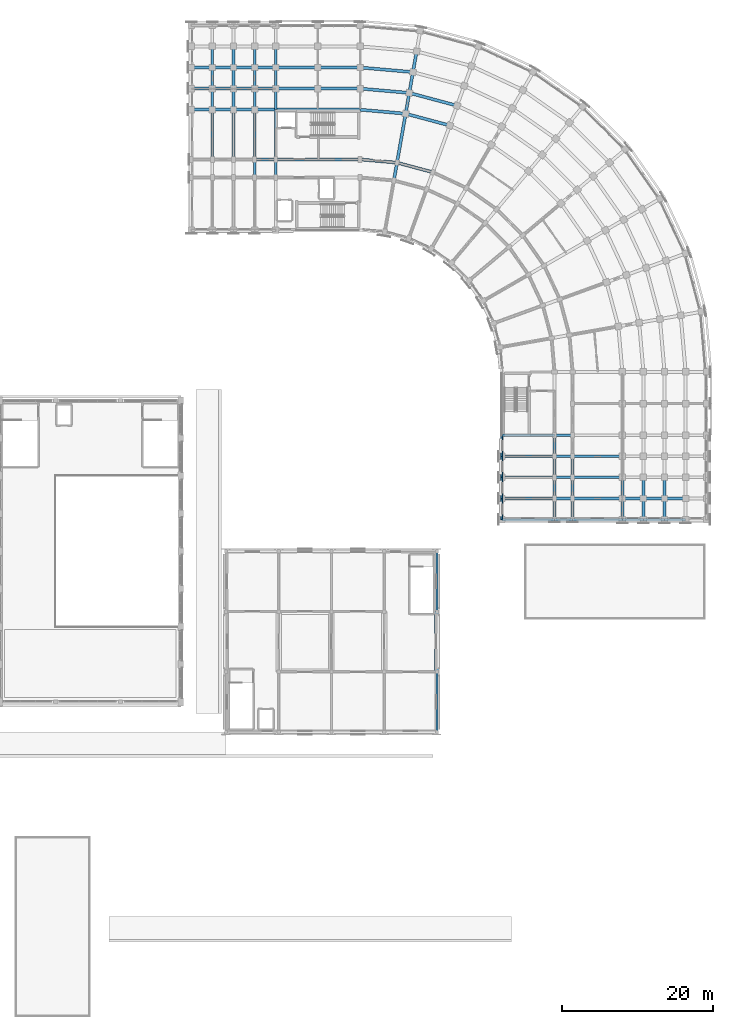
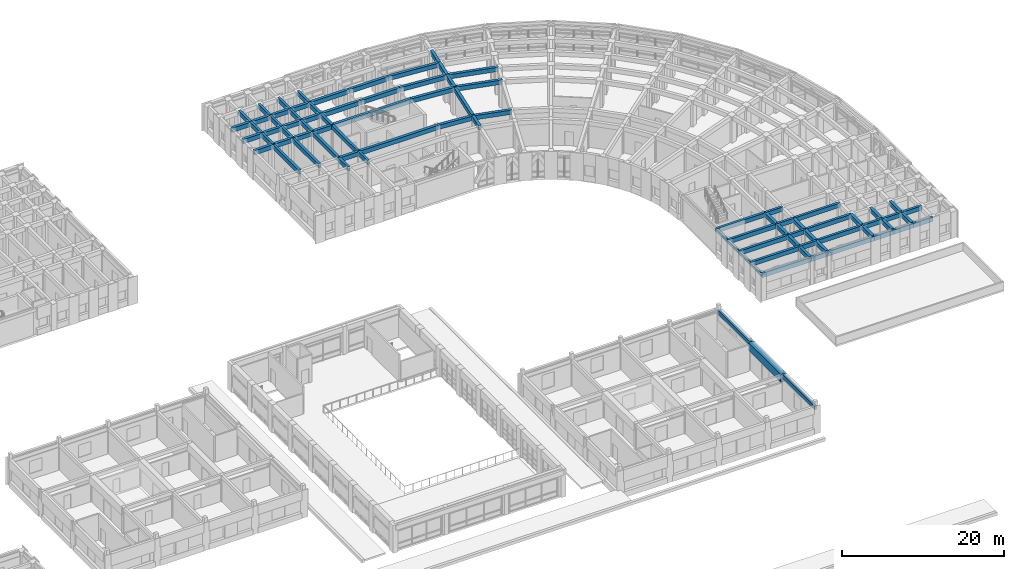
# One storey, part 30 of 97: 89 beams.
"""IFC4 building model written with IfcOpenShell, lengths in metres."""

from ifc_helpers import new_model, si_unit, direction, frame, origin, origin_2d, place, context, subcontext, project, spatial, rectangle, extrude, material, material_profile, profile_set, type_object, element, save


model = new_model("IFC4")

# Units and contexts
model_context = context("Model", 3, precision=1e-05, world=origin(), true_north=direction((0.0, 1.0)))
body_context = subcontext(model_context, "Body", "Model", "MODEL_VIEW")
ifc_project = project(units=[si_unit("LENGTHUNIT", "METRE"), si_unit("AREAUNIT", "SQUARE_METRE"), si_unit("VOLUMEUNIT", "CUBIC_METRE"), si_unit("PLANEANGLEUNIT", "RADIAN"), si_unit("MASSUNIT", "GRAM", prefix="KILO")], contexts=[model_context])

# Site, building, storey
site_placement = place(None, origin())
site = spatial("IfcSite", under=ifc_project, at=site_placement, CompositionType="ELEMENT")
building_placement = place(site_placement, origin())
building = spatial("IfcBuilding", under=site, at=building_placement, Name="Kiranvali Square Residences", CompositionType="ELEMENT")
storey_placement = place(building_placement, frame((0.0, 0.0, 4.5)))
storey = spatial("IfcBuildingStorey", under=building, at=storey_placement, Name="L01", CompositionType="ELEMENT", Elevation=4.5)

# Beams
ifc_material_1 = material(Name="Concrete M40 (40 MPa)", Category="concrete")
ifc_material_profile_1 = material_profile(ifc_material_1, rectangle(XDim=0.300048828125, YDim=0.550048828125, at=origin_2d()), Name="RC 300x550")
ifc_profile_set_1 = profile_set([ifc_material_profile_1], Name="Concrete M40 (40 MPa)")
beam_type_1 = type_object("IfcBeamType", Name="BM-M40-300x550", PredefinedType="BEAM", material=ifc_profile_set_1)
for number, where, z_axis, x_axis, name in (
    (1, (130.0, 40.0, 3.72509765625), (0.0, 1.0, 0.0), (-1.0, 0.0, 0.0), "L01 beam BM-RT-L01-Y4-0"),
    (2, (130.0, 56.0, 3.72509765625), (0.0, 1.0, 0.0), (-1.0, 0.0, 0.0), "L01 beam BM-RT-L01-Y4-2"),
):
    element("IfcBeam", number, at=place(storey_placement, frame(where, z_axis=z_axis, x_axis=x_axis)), inside=storey, type_object=beam_type_1, Name=name, PredefinedType="BEAM", context=body_context, shape_type="SweptSolid", body=[
        extrude(rectangle(XDim=0.300048828125, YDim=0.550048828125, at=origin_2d()), origin(), (0.0, 0.0, 1.0), 8.0),
    ])
ifc_material_profile_2 = material_profile(ifc_material_1, rectangle(XDim=0.35009765625, YDim=0.64990234375, at=origin_2d()), Name="RC 350x650")
ifc_profile_set_2 = profile_set([ifc_material_profile_2], Name="Concrete M40 (40 MPa)")
beam_type_2 = type_object("IfcBeamType", Name="BM-M40-350x650", PredefinedType="BEAM", material=ifc_profile_set_2)
beam_1_placement = place(storey_placement, frame((108.60009765625, 113.60009765625, 3.655029296875), z_axis=(0.0, 1.0, 0.0), x_axis=(-1.0, 0.0, 0.0)))
element("IfcBeam", 3, at=beam_1_placement, inside=storey, type_object=beam_type_2, Name="L01 beam BM-B-L01-A1T1-12", PredefinedType="BEAM", context=body_context, shape_type="SweptSolid", body=[
    extrude(rectangle(XDim=0.35009765625, YDim=0.64990234375, at=origin_2d()), origin(), (0.0, 0.0, 1.0), 2.39990234375),
])
beam_2_placement = place(storey_placement, frame((108.60009765625, 116.0, 3.655029296875), z_axis=(0.0, 1.0, 0.0), x_axis=(-1.0, 0.0, 0.0)))
element("IfcBeam", 4, at=beam_2_placement, inside=storey, type_object=beam_type_2, Name="L01 beam BM-B-L01-A1T1-23", PredefinedType="BEAM", context=body_context, shape_type="SweptSolid", body=[
    extrude(rectangle(XDim=0.35009765625, YDim=0.64990234375, at=origin_2d()), origin(), (0.0, 0.0, 1.0), 6.60009765625),
])
beam_3_placement = place(storey_placement, frame((108.60009765625, 122.60009765625, 3.655029296875), z_axis=(0.0, 1.0, 0.0), x_axis=(-1.0, 0.0, 0.0)))
element("IfcBeam", 5, at=beam_3_placement, inside=storey, type_object=beam_type_2, Name="L01 beam BM-B-L01-A1T1-34", PredefinedType="BEAM", context=body_context, shape_type="SweptSolid", body=[
    extrude(rectangle(XDim=0.35009765625, YDim=0.64990234375, at=origin_2d()), origin(), (0.0, 0.0, 1.0), 2.7998046875),
])
for number, where, z_axis, x_axis, name in (
    (6, (108.60009765625, 125.39990234375, 3.655029296875), (0.0, 1.0, 0.0), (-1.0, 0.0, 0.0), "L01 beam BM-B-L01-A1T1-45"),
    (7, (108.60009765625, 128.199951171875, 3.655029296875), (0.0, 1.0, 0.0), (-1.0, 0.0, 0.0), "L01 beam BM-B-L01-A1T1-56"),
):
    element("IfcBeam", number, at=place(storey_placement, frame(where, z_axis=z_axis, x_axis=x_axis)), inside=storey, type_object=beam_type_2, Name=name, PredefinedType="BEAM", context=body_context, shape_type="SweptSolid", body=[
        extrude(rectangle(XDim=0.35009765625, YDim=0.64990234375, at=origin_2d()), origin(), (0.0, 0.0, 1.0), 2.800048828125),
    ])
beam_4_placement = place(storey_placement, frame((105.800048828125, 113.60009765625, 3.655029296875), z_axis=(0.0, 1.0, 0.0), x_axis=(-1.0, 0.0, 0.0)))
element("IfcBeam", 8, at=beam_4_placement, inside=storey, type_object=beam_type_2, Name="L01 beam BM-B-L01-A1T2-12", PredefinedType="BEAM", context=body_context, shape_type="SweptSolid", body=[
    extrude(rectangle(XDim=0.35009765625, YDim=0.64990234375, at=origin_2d()), origin(), (0.0, 0.0, 1.0), 2.39990234375),
])
beam_5_placement = place(storey_placement, frame((105.800048828125, 116.0, 3.655029296875), z_axis=(0.0, 1.0, 0.0), x_axis=(-1.0, 0.0, 0.0)))
element("IfcBeam", 9, at=beam_5_placement, inside=storey, type_object=beam_type_2, Name="L01 beam BM-B-L01-A1T2-23", PredefinedType="BEAM", context=body_context, shape_type="SweptSolid", body=[
    extrude(rectangle(XDim=0.35009765625, YDim=0.64990234375, at=origin_2d()), origin(), (0.0, 0.0, 1.0), 6.60009765625),
])
beam_6_placement = place(storey_placement, frame((105.800048828125, 122.60009765625, 3.655029296875), z_axis=(0.0, 1.0, 0.0), x_axis=(-1.0, 0.0, 0.0)))
element("IfcBeam", 10, at=beam_6_placement, inside=storey, type_object=beam_type_2, Name="L01 beam BM-B-L01-A1T2-34", PredefinedType="BEAM", context=body_context, shape_type="SweptSolid", body=[
    extrude(rectangle(XDim=0.35009765625, YDim=0.64990234375, at=origin_2d()), origin(), (0.0, 0.0, 1.0), 2.7998046875),
])
for number, where, z_axis, x_axis, name in (
    (11, (105.800048828125, 125.39990234375, 3.655029296875), (0.0, 1.0, 0.0), (-1.0, 0.0, 0.0), "L01 beam BM-B-L01-A1T2-45"),
    (12, (105.800048828125, 128.199951171875, 3.655029296875), (0.0, 1.0, 0.0), (-1.0, 0.0, 0.0), "L01 beam BM-B-L01-A1T2-56"),
):
    element("IfcBeam", number, at=place(storey_placement, frame(where, z_axis=z_axis, x_axis=x_axis)), inside=storey, type_object=beam_type_2, Name=name, PredefinedType="BEAM", context=body_context, shape_type="SweptSolid", body=[
        extrude(rectangle(XDim=0.35009765625, YDim=0.64990234375, at=origin_2d()), origin(), (0.0, 0.0, 1.0), 2.800048828125),
    ])
beam_7_placement = place(storey_placement, frame((103.0, 116.0, 3.655029296875), z_axis=(0.0, 1.0, 0.0), x_axis=(-1.0, 0.0, 0.0)))
element("IfcBeam", 13, at=beam_7_placement, inside=storey, type_object=beam_type_2, Name="L01 beam BM-B-L01-A1T3-23", PredefinedType="BEAM", context=body_context, shape_type="SweptSolid", body=[
    extrude(rectangle(XDim=0.35009765625, YDim=0.64990234375, at=origin_2d()), origin(), (0.0, 0.0, 1.0), 6.60009765625),
])
beam_8_placement = place(storey_placement, frame((103.0, 122.60009765625, 3.655029296875), z_axis=(0.0, 1.0, 0.0), x_axis=(-1.0, 0.0, 0.0)))
element("IfcBeam", 14, at=beam_8_placement, inside=storey, type_object=beam_type_2, Name="L01 beam BM-B-L01-A1T3-34", PredefinedType="BEAM", context=body_context, shape_type="SweptSolid", body=[
    extrude(rectangle(XDim=0.35009765625, YDim=0.64990234375, at=origin_2d()), origin(), (0.0, 0.0, 1.0), 2.7998046875),
])
for number, where, z_axis, x_axis, name in (
    (15, (103.0, 125.39990234375, 3.655029296875), (0.0, 1.0, 0.0), (-1.0, 0.0, 0.0), "L01 beam BM-B-L01-A1T3-45"),
    (16, (103.0, 128.199951171875, 3.655029296875), (0.0, 1.0, 0.0), (-1.0, 0.0, 0.0), "L01 beam BM-B-L01-A1T3-56"),
):
    element("IfcBeam", number, at=place(storey_placement, frame(where, z_axis=z_axis, x_axis=x_axis)), inside=storey, type_object=beam_type_2, Name=name, PredefinedType="BEAM", context=body_context, shape_type="SweptSolid", body=[
        extrude(rectangle(XDim=0.35009765625, YDim=0.64990234375, at=origin_2d()), origin(), (0.0, 0.0, 1.0), 2.800048828125),
    ])
beam_9_placement = place(storey_placement, frame((100.199951171875, 116.0, 3.655029296875), z_axis=(0.0, 1.0, 0.0), x_axis=(-1.0, 0.0, 0.0)))
element("IfcBeam", 17, at=beam_9_placement, inside=storey, type_object=beam_type_2, Name="L01 beam BM-B-L01-A1T4-23", PredefinedType="BEAM", context=body_context, shape_type="SweptSolid", body=[
    extrude(rectangle(XDim=0.35009765625, YDim=0.64990234375, at=origin_2d()), origin(), (0.0, 0.0, 1.0), 6.60009765625),
])
beam_10_placement = place(storey_placement, frame((100.199951171875, 122.60009765625, 3.655029296875), z_axis=(0.0, 1.0, 0.0), x_axis=(-1.0, 0.0, 0.0)))
element("IfcBeam", 18, at=beam_10_placement, inside=storey, type_object=beam_type_2, Name="L01 beam BM-B-L01-A1T4-34", PredefinedType="BEAM", context=body_context, shape_type="SweptSolid", body=[
    extrude(rectangle(XDim=0.35009765625, YDim=0.64990234375, at=origin_2d()), origin(), (0.0, 0.0, 1.0), 2.7998046875),
])
for number, where, z_axis, x_axis, name in (
    (19, (100.199951171875, 125.39990234375, 3.655029296875), (0.0, 1.0, 0.0), (-1.0, 0.0, 0.0), "L01 beam BM-B-L01-A1T4-45"),
    (20, (100.199951171875, 128.199951171875, 3.655029296875), (0.0, 1.0, 0.0), (-1.0, 0.0, 0.0), "L01 beam BM-B-L01-A1T4-56"),
):
    element("IfcBeam", number, at=place(storey_placement, frame(where, z_axis=z_axis, x_axis=x_axis)), inside=storey, type_object=beam_type_2, Name=name, PredefinedType="BEAM", context=body_context, shape_type="SweptSolid", body=[
        extrude(rectangle(XDim=0.35009765625, YDim=0.64990234375, at=origin_2d()), origin(), (0.0, 0.0, 1.0), 2.800048828125),
    ])
beam_11_placement = place(storey_placement, frame((138.60009765625, 79.39990234375, 3.655029296875), z_axis=(1.0, 0.0, 0.0), x_axis=(0.0, 1.0, 0.0)))
element("IfcBeam", 21, at=beam_11_placement, inside=storey, type_object=beam_type_2, Name="L01 beam BM-B-L01-A2T1-01", PredefinedType="BEAM", context=body_context, shape_type="SweptSolid", body=[
    extrude(rectangle(XDim=0.35009765625, YDim=0.64990234375, at=origin_2d()), origin(), (0.0, 0.0, 1.0), 7.0),
])
beam_12_placement = place(storey_placement, frame((145.60009765625, 79.39990234375, 3.655029296875), z_axis=(1.0, 0.0, 0.0), x_axis=(0.0, 1.0, 0.0)))
element("IfcBeam", 22, at=beam_12_placement, inside=storey, type_object=beam_type_2, Name="L01 beam BM-B-L01-A2T1-12", PredefinedType="BEAM", context=body_context, shape_type="SweptSolid", body=[
    extrude(rectangle(XDim=0.35009765625, YDim=0.64990234375, at=origin_2d()), origin(), (0.0, 0.0, 1.0), 2.39990234375),
])
beam_13_placement = place(storey_placement, frame((138.60009765625, 76.60009765625, 3.655029296875), z_axis=(1.0, 0.0, 0.0), x_axis=(0.0, 1.0, 0.0)))
element("IfcBeam", 23, at=beam_13_placement, inside=storey, type_object=beam_type_2, Name="L01 beam BM-B-L01-A2T2-01", PredefinedType="BEAM", context=body_context, shape_type="SweptSolid", body=[
    extrude(rectangle(XDim=0.35009765625, YDim=0.64990234375, at=origin_2d()), origin(), (0.0, 0.0, 1.0), 7.0),
])
beam_14_placement = place(storey_placement, frame((145.60009765625, 76.60009765625, 3.655029296875), z_axis=(1.0, 0.0, 0.0), x_axis=(0.0, 1.0, 0.0)))
element("IfcBeam", 24, at=beam_14_placement, inside=storey, type_object=beam_type_2, Name="L01 beam BM-B-L01-A2T2-12", PredefinedType="BEAM", context=body_context, shape_type="SweptSolid", body=[
    extrude(rectangle(XDim=0.35009765625, YDim=0.64990234375, at=origin_2d()), origin(), (0.0, 0.0, 1.0), 2.39990234375),
])
beam_15_placement = place(storey_placement, frame((148.0, 76.60009765625, 3.655029296875), z_axis=(1.0, 0.0, 0.0), x_axis=(0.0, 1.0, 0.0)))
element("IfcBeam", 25, at=beam_15_placement, inside=storey, type_object=beam_type_2, Name="L01 beam BM-B-L01-A2T2-23", PredefinedType="BEAM", context=body_context, shape_type="SweptSolid", body=[
    extrude(rectangle(XDim=0.35009765625, YDim=0.64990234375, at=origin_2d()), origin(), (0.0, 0.0, 1.0), 6.60009765625),
])
beam_16_placement = place(storey_placement, frame((138.60009765625, 73.800048828125, 3.655029296875), z_axis=(1.0, 0.0, 0.0), x_axis=(0.0, 1.0, 0.0)))
element("IfcBeam", 26, at=beam_16_placement, inside=storey, type_object=beam_type_2, Name="L01 beam BM-B-L01-A2T3-01", PredefinedType="BEAM", context=body_context, shape_type="SweptSolid", body=[
    extrude(rectangle(XDim=0.35009765625, YDim=0.64990234375, at=origin_2d()), origin(), (0.0, 0.0, 1.0), 7.0),
])
beam_17_placement = place(storey_placement, frame((145.60009765625, 73.800048828125, 3.655029296875), z_axis=(1.0, 0.0, 0.0), x_axis=(0.0, 1.0, 0.0)))
element("IfcBeam", 27, at=beam_17_placement, inside=storey, type_object=beam_type_2, Name="L01 beam BM-B-L01-A2T3-12", PredefinedType="BEAM", context=body_context, shape_type="SweptSolid", body=[
    extrude(rectangle(XDim=0.35009765625, YDim=0.64990234375, at=origin_2d()), origin(), (0.0, 0.0, 1.0), 2.39990234375),
])
beam_18_placement = place(storey_placement, frame((148.0, 73.800048828125, 3.655029296875), z_axis=(1.0, 0.0, 0.0), x_axis=(0.0, 1.0, 0.0)))
element("IfcBeam", 28, at=beam_18_placement, inside=storey, type_object=beam_type_2, Name="L01 beam BM-B-L01-A2T3-23", PredefinedType="BEAM", context=body_context, shape_type="SweptSolid", body=[
    extrude(rectangle(XDim=0.35009765625, YDim=0.64990234375, at=origin_2d()), origin(), (0.0, 0.0, 1.0), 6.60009765625),
])
beam_19_placement = place(storey_placement, frame((138.60009765625, 71.0, 3.655029296875), z_axis=(1.0, 0.0, 0.0), x_axis=(0.0, 1.0, 0.0)))
element("IfcBeam", 29, at=beam_19_placement, inside=storey, type_object=beam_type_2, Name="L01 beam BM-B-L01-A2T4-01", PredefinedType="BEAM", context=body_context, shape_type="SweptSolid", body=[
    extrude(rectangle(XDim=0.35009765625, YDim=0.64990234375, at=origin_2d()), origin(), (0.0, 0.0, 1.0), 7.0),
])
beam_20_placement = place(storey_placement, frame((145.60009765625, 71.0, 3.655029296875), z_axis=(1.0, 0.0, 0.0), x_axis=(0.0, 1.0, 0.0)))
element("IfcBeam", 30, at=beam_20_placement, inside=storey, type_object=beam_type_2, Name="L01 beam BM-B-L01-A2T4-12", PredefinedType="BEAM", context=body_context, shape_type="SweptSolid", body=[
    extrude(rectangle(XDim=0.35009765625, YDim=0.64990234375, at=origin_2d()), origin(), (0.0, 0.0, 1.0), 2.39990234375),
])
beam_21_placement = place(storey_placement, frame((148.0, 71.0, 3.655029296875), z_axis=(1.0, 0.0, 0.0), x_axis=(0.0, 1.0, 0.0)))
element("IfcBeam", 31, at=beam_21_placement, inside=storey, type_object=beam_type_2, Name="L01 beam BM-B-L01-A2T4-23", PredefinedType="BEAM", context=body_context, shape_type="SweptSolid", body=[
    extrude(rectangle(XDim=0.35009765625, YDim=0.64990234375, at=origin_2d()), origin(), (0.0, 0.0, 1.0), 6.60009765625),
])
beam_22_placement = place(storey_placement, frame((154.60009765625, 71.0, 3.655029296875), z_axis=(1.0, 0.0, 0.0), x_axis=(0.0, 1.0, 0.0)))
element("IfcBeam", 32, at=beam_22_placement, inside=storey, type_object=beam_type_2, Name="L01 beam BM-B-L01-A2T4-34", PredefinedType="BEAM", context=body_context, shape_type="SweptSolid", body=[
    extrude(rectangle(XDim=0.35009765625, YDim=0.64990234375, at=origin_2d()), origin(), (0.0, 0.0, 1.0), 2.7998046875),
])
for number, where, z_axis, x_axis, name in (
    (33, (157.39990234375, 71.0, 3.655029296875), (1.0, 0.0, 0.0), (0.0, 1.0, 0.0), "L01 beam BM-B-L01-A2T4-45"),
    (34, (160.199951171875, 71.0, 3.655029296875), (1.0, 0.0, 0.0), (0.0, 1.0, 0.0), "L01 beam BM-B-L01-A2T4-56"),
):
    element("IfcBeam", number, at=place(storey_placement, frame(where, z_axis=z_axis, x_axis=x_axis)), inside=storey, type_object=beam_type_2, Name=name, PredefinedType="BEAM", context=body_context, shape_type="SweptSolid", body=[
        extrude(rectangle(XDim=0.35009765625, YDim=0.64990234375, at=origin_2d()), origin(), (0.0, 0.0, 1.0), 2.800048828125),
    ])
beam_23_placement = place(storey_placement, frame((138.60009765625, 68.199951171875, 3.655029296875), z_axis=(1.0, 0.0, 0.0), x_axis=(0.0, 1.0, 0.0)))
element("IfcBeam", 35, at=beam_23_placement, inside=storey, type_object=beam_type_2, Name="L01 beam BM-B-L01-A2T5-01", PredefinedType="BEAM", context=body_context, shape_type="SweptSolid", body=[
    extrude(rectangle(XDim=0.35009765625, YDim=0.64990234375, at=origin_2d()), origin(), (0.0, 0.0, 1.0), 7.0),
])
beam_24_placement = place(storey_placement, frame((145.60009765625, 68.199951171875, 3.655029296875), z_axis=(1.0, 0.0, 0.0), x_axis=(0.0, 1.0, 0.0)))
element("IfcBeam", 36, at=beam_24_placement, inside=storey, type_object=beam_type_2, Name="L01 beam BM-B-L01-A2T5-12", PredefinedType="BEAM", context=body_context, shape_type="SweptSolid", body=[
    extrude(rectangle(XDim=0.35009765625, YDim=0.64990234375, at=origin_2d()), origin(), (0.0, 0.0, 1.0), 2.39990234375),
])
beam_25_placement = place(storey_placement, frame((148.0, 68.199951171875, 3.655029296875), z_axis=(1.0, 0.0, 0.0), x_axis=(0.0, 1.0, 0.0)))
element("IfcBeam", 37, at=beam_25_placement, inside=storey, type_object=beam_type_2, Name="L01 beam BM-B-L01-A2T5-23", PredefinedType="BEAM", context=body_context, shape_type="SweptSolid", body=[
    extrude(rectangle(XDim=0.35009765625, YDim=0.64990234375, at=origin_2d()), origin(), (0.0, 0.0, 1.0), 6.60009765625),
])
beam_26_placement = place(storey_placement, frame((154.60009765625, 68.199951171875, 3.655029296875), z_axis=(1.0, 0.0, 0.0), x_axis=(0.0, 1.0, 0.0)))
element("IfcBeam", 38, at=beam_26_placement, inside=storey, type_object=beam_type_2, Name="L01 beam BM-B-L01-A2T5-34", PredefinedType="BEAM", context=body_context, shape_type="SweptSolid", body=[
    extrude(rectangle(XDim=0.35009765625, YDim=0.64990234375, at=origin_2d()), origin(), (0.0, 0.0, 1.0), 2.7998046875),
])
for number, where, z_axis, x_axis, name in (
    (39, (157.39990234375, 68.199951171875, 3.655029296875), (1.0, 0.0, 0.0), (0.0, 1.0, 0.0), "L01 beam BM-B-L01-A2T5-45"),
    (40, (160.199951171875, 68.199951171875, 3.655029296875), (1.0, 0.0, 0.0), (0.0, 1.0, 0.0), "L01 beam BM-B-L01-A2T5-56"),
):
    element("IfcBeam", number, at=place(storey_placement, frame(where, z_axis=z_axis, x_axis=x_axis)), inside=storey, type_object=beam_type_2, Name=name, PredefinedType="BEAM", context=body_context, shape_type="SweptSolid", body=[
        extrude(rectangle(XDim=0.35009765625, YDim=0.64990234375, at=origin_2d()), origin(), (0.0, 0.0, 1.0), 2.800048828125),
    ])
ifc_material_2 = material(Name="Concrete M45 (45 MPa)", Category="concrete")
ifc_material_profile_3 = material_profile(ifc_material_2, rectangle(XDim=0.39990234375, YDim=0.64990234375, at=origin_2d()), Name="RC 400x650")
ifc_profile_set_3 = profile_set([ifc_material_profile_3], Name="Concrete M45 (45 MPa)")
beam_type_3 = type_object("IfcBeamType", Name="BM-M45-400x650", PredefinedType="BEAM", material=ifc_profile_set_3)
beam_27_placement = place(storey_placement, frame((119.800048828125, 116.0, 3.655029296875), z_axis=(0.996193663584, -0.087167566415, 0.0), x_axis=(0.087167566415, 0.996193663584, 0.0)))
element("IfcBeam", 41, at=beam_27_placement, inside=storey, type_object=beam_type_3, Name="L01 beam BM-B-L01-C00-R2", PredefinedType="BEAM", context=body_context, shape_type="SweptSolid", body=[
    extrude(rectangle(XDim=0.39990234375, YDim=0.64990234375, at=origin_2d()), origin(), (0.0, 0.0, 1.0), 4.91552734375),
])
beam_28_placement = place(storey_placement, frame((119.800048828125, 122.60009765625, 3.655029296875), z_axis=(0.996193018494, -0.087174938512, 0.0), x_axis=(0.087174938512, 0.996193018494, 0.0)))
element("IfcBeam", 42, at=beam_28_placement, inside=storey, type_object=beam_type_3, Name="L01 beam BM-B-L01-C00-R3", PredefinedType="BEAM", context=body_context, shape_type="SweptSolid", body=[
    extrude(rectangle(XDim=0.39990234375, YDim=0.64990234375, at=origin_2d()), origin(), (0.0, 0.0, 1.0), 6.066162109375),
])
beam_29_placement = place(storey_placement, frame((119.800048828125, 125.39990234375, 3.655029296875), z_axis=(0.996196991902, -0.0871295204, 0.0), x_axis=(0.0871295204, 0.996196991902, 0.0)))
element("IfcBeam", 43, at=beam_29_placement, inside=storey, type_object=beam_type_3, Name="L01 beam BM-B-L01-C00-R4", PredefinedType="BEAM", context=body_context, shape_type="SweptSolid", body=[
    extrude(rectangle(XDim=0.39990234375, YDim=0.64990234375, at=origin_2d()), origin(), (0.0, 0.0, 1.0), 6.553955078125),
])
beam_30_placement = place(storey_placement, frame((119.800048828125, 128.199951171875, 3.655029296875), z_axis=(0.996194658198, -0.087156198737, 0.0), x_axis=(0.087156198737, 0.996194658198, 0.0)))
element("IfcBeam", 44, at=beam_30_placement, inside=storey, type_object=beam_type_3, Name="L01 beam BM-B-L01-C00-R5", PredefinedType="BEAM", context=body_context, shape_type="SweptSolid", body=[
    extrude(rectangle(XDim=0.39990234375, YDim=0.64990234375, at=origin_2d()), origin(), (0.0, 0.0, 1.0), 7.042236328125),
])
beam_31_placement = place(storey_placement, frame((124.69677734375, 115.571533203125, 3.655029296875), z_axis=(0.965930095386, -0.258803112091, 0.0), x_axis=(0.258803112091, 0.965930095386, 0.0)))
element("IfcBeam", 45, at=beam_31_placement, inside=storey, type_object=beam_type_3, Name="L01 beam BM-B-L01-C01-R2", PredefinedType="BEAM", context=body_context, shape_type="SweptSolid", body=[
    extrude(rectangle(XDim=0.39990234375, YDim=0.64990234375, at=origin_2d()), origin(), (0.0, 0.0, 1.0), 4.915771484375),
])
beam_32_placement = place(storey_placement, frame((125.843017578125, 122.0712890625, 3.655029296875), z_axis=(0.965923618901, -0.258827283048, 0.0), x_axis=(0.258827283048, 0.965923618901, 0.0)))
element("IfcBeam", 46, at=beam_32_placement, inside=storey, type_object=beam_type_3, Name="L01 beam BM-B-L01-C01-R3", PredefinedType="BEAM", context=body_context, shape_type="SweptSolid", body=[
    extrude(rectangle(XDim=0.39990234375, YDim=0.64990234375, at=origin_2d()), origin(), (0.0, 0.0, 1.0), 6.066162109375),
])
beam_33_placement = place(storey_placement, frame((126.3291015625, 124.828857421875, 3.655029296875), z_axis=(0.965918287583, -0.258847178297, 0.0), x_axis=(0.258847178297, 0.965918287583, 0.0)))
element("IfcBeam", 47, at=beam_33_placement, inside=storey, type_object=beam_type_3, Name="L01 beam BM-B-L01-C01-R4", PredefinedType="BEAM", context=body_context, shape_type="SweptSolid", body=[
    extrude(rectangle(XDim=0.39990234375, YDim=0.64990234375, at=origin_2d()), origin(), (0.0, 0.0, 1.0), 6.55419921875),
])
beam_34_placement = place(storey_placement, frame((124.280029296875, 113.2080078125, 3.655029296875), z_axis=(0.173646056486, 0.984808127031, 0.0), x_axis=(-0.984808127031, 0.173646056486, 0.0)))
element("IfcBeam", 48, at=beam_34_placement, inside=storey, type_object=beam_type_3, Name="L01 beam BM-B-L01-RAD01-12", PredefinedType="BEAM", context=body_context, shape_type="SweptSolid", body=[
    extrude(rectangle(XDim=0.39990234375, YDim=0.64990234375, at=origin_2d()), origin(), (0.0, 0.0, 1.0), 2.39990234375),
])
beam_35_placement = place(storey_placement, frame((124.69677734375, 115.571533203125, 3.655029296875), z_axis=(0.173671381499, 0.984803661269, 0.0), x_axis=(-0.984803661269, 0.173671381499, 0.0)))
element("IfcBeam", 49, at=beam_35_placement, inside=storey, type_object=beam_type_3, Name="L01 beam BM-B-L01-RAD01-23", PredefinedType="BEAM", context=body_context, shape_type="SweptSolid", body=[
    extrude(rectangle(XDim=0.39990234375, YDim=0.64990234375, at=origin_2d()), origin(), (0.0, 0.0, 1.0), 6.60009765625),
])
beam_36_placement = place(storey_placement, frame((125.843017578125, 122.0712890625, 3.655029296875), z_axis=(0.173596320392, 0.984816895441, 0.0), x_axis=(-0.984816895441, 0.173596320392, 0.0)))
element("IfcBeam", 50, at=beam_36_placement, inside=storey, type_object=beam_type_3, Name="L01 beam BM-B-L01-RAD01-34", PredefinedType="BEAM", context=body_context, shape_type="SweptSolid", body=[
    extrude(rectangle(XDim=0.39990234375, YDim=0.64990234375, at=origin_2d()), origin(), (0.0, 0.0, 1.0), 2.800048828125),
])
beam_37_placement = place(storey_placement, frame((126.3291015625, 124.828857421875, 3.655029296875), z_axis=(0.173695795656, 0.984799355489, 0.0), x_axis=(-0.984799355489, 0.173695795656, 0.0)))
element("IfcBeam", 51, at=beam_37_placement, inside=storey, type_object=beam_type_3, Name="L01 beam BM-B-L01-RAD01-45", PredefinedType="BEAM", context=body_context, shape_type="SweptSolid", body=[
    extrude(rectangle(XDim=0.39990234375, YDim=0.64990234375, at=origin_2d()), origin(), (0.0, 0.0, 1.0), 2.7998046875),
])
beam_38_placement = place(storey_placement, frame((126.8154296875, 127.586181640625, 3.655029296875), z_axis=(0.173596320392, 0.984816895441, 0.0), x_axis=(-0.984816895441, 0.173596320392, 0.0)))
element("IfcBeam", 52, at=beam_38_placement, inside=storey, type_object=beam_type_3, Name="L01 beam BM-B-L01-RAD01-56", PredefinedType="BEAM", context=body_context, shape_type="SweptSolid", body=[
    extrude(rectangle(XDim=0.39990234375, YDim=0.64990234375, at=origin_2d()), origin(), (0.0, 0.0, 1.0), 2.800048828125),
])
beam_39_placement = place(storey_placement, frame((119.800048828125, 116.0, 3.655029296875), z_axis=(-1.0, 0.0, 0.0), x_axis=(0.0, -1.0, 0.0)))
element("IfcBeam", 53, at=beam_39_placement, inside=storey, type_object=beam_type_3, Name="L01 beam BM-B-L01-A1U0-R2", PredefinedType="BEAM", context=body_context, shape_type="SweptSolid", body=[
    extrude(rectangle(XDim=0.39990234375, YDim=0.64990234375, at=origin_2d()), origin(), (0.0, 0.0, 1.0), 11.199951171875),
])
beam_40_placement = place(storey_placement, frame((108.60009765625, 116.0, 3.655029296875), z_axis=(-1.0, 0.0, 0.0), x_axis=(0.0, -1.0, 0.0)))
element("IfcBeam", 54, at=beam_40_placement, inside=storey, type_object=beam_type_3, Name="L01 beam BM-B-L01-A1U1-R2", PredefinedType="BEAM", context=body_context, shape_type="SweptSolid", body=[
    extrude(rectangle(XDim=0.39990234375, YDim=0.64990234375, at=origin_2d()), origin(), (0.0, 0.0, 1.0), 2.800048828125),
])
beam_41_placement = place(storey_placement, frame((119.800048828125, 122.60009765625, 3.655029296875), z_axis=(-1.0, 0.0, 0.0), x_axis=(0.0, -1.0, 0.0)))
element("IfcBeam", 55, at=beam_41_placement, inside=storey, type_object=beam_type_3, Name="L01 beam BM-B-L01-A1U0-R3", PredefinedType="BEAM", context=body_context, shape_type="SweptSolid", body=[
    extrude(rectangle(XDim=0.39990234375, YDim=0.64990234375, at=origin_2d()), origin(), (0.0, 0.0, 1.0), 11.199951171875),
])
for number, where, z_axis, x_axis, name in (
    (56, (108.60009765625, 122.60009765625, 3.655029296875), (-1.0, 0.0, 0.0), (0.0, -1.0, 0.0), "L01 beam BM-B-L01-A1U1-R3"),
    (57, (105.800048828125, 122.60009765625, 3.655029296875), (-1.0, 0.0, 0.0), (0.0, -1.0, 0.0), "L01 beam BM-B-L01-A1U2-R3"),
    (58, (103.0, 122.60009765625, 3.655029296875), (-1.0, 0.0, 0.0), (0.0, -1.0, 0.0), "L01 beam BM-B-L01-A1U3-R3"),
    (59, (100.199951171875, 122.60009765625, 3.655029296875), (-1.0, 0.0, 0.0), (0.0, -1.0, 0.0), "L01 beam BM-B-L01-A1U4-R3"),
):
    element("IfcBeam", number, at=place(storey_placement, frame(where, z_axis=z_axis, x_axis=x_axis)), inside=storey, type_object=beam_type_3, Name=name, PredefinedType="BEAM", context=body_context, shape_type="SweptSolid", body=[
        extrude(rectangle(XDim=0.39990234375, YDim=0.64990234375, at=origin_2d()), origin(), (0.0, 0.0, 1.0), 2.800048828125),
    ])
beam_42_placement = place(storey_placement, frame((119.800048828125, 125.39990234375, 3.655029296875), z_axis=(-1.0, 0.0, 0.0), x_axis=(0.0, -1.0, 0.0)))
element("IfcBeam", 60, at=beam_42_placement, inside=storey, type_object=beam_type_3, Name="L01 beam BM-B-L01-A1U0-R4", PredefinedType="BEAM", context=body_context, shape_type="SweptSolid", body=[
    extrude(rectangle(XDim=0.39990234375, YDim=0.64990234375, at=origin_2d()), origin(), (0.0, 0.0, 1.0), 5.60009765625),
])
beam_43_placement = place(storey_placement, frame((114.199951171875, 125.39990234375, 3.655029296875), z_axis=(-1.0, 0.0, 0.0), x_axis=(0.0, -1.0, 0.0)))
element("IfcBeam", 61, at=beam_43_placement, inside=storey, type_object=beam_type_3, Name="L01 beam BM-B-L01-A1U1-R4", PredefinedType="BEAM", context=body_context, shape_type="SweptSolid", body=[
    extrude(rectangle(XDim=0.39990234375, YDim=0.64990234375, at=origin_2d()), origin(), (0.0, 0.0, 1.0), 5.599853515625),
])
for number, where, z_axis, x_axis, name in (
    (62, (108.60009765625, 125.39990234375, 3.655029296875), (-1.0, 0.0, 0.0), (0.0, -1.0, 0.0), "L01 beam BM-B-L01-A1U2-R4"),
    (63, (105.800048828125, 125.39990234375, 3.655029296875), (-1.0, 0.0, 0.0), (0.0, -1.0, 0.0), "L01 beam BM-B-L01-A1U3-R4"),
    (64, (103.0, 125.39990234375, 3.655029296875), (-1.0, 0.0, 0.0), (0.0, -1.0, 0.0), "L01 beam BM-B-L01-A1U4-R4"),
    (65, (100.199951171875, 125.39990234375, 3.655029296875), (-1.0, 0.0, 0.0), (0.0, -1.0, 0.0), "L01 beam BM-B-L01-A1U5-R4"),
):
    element("IfcBeam", number, at=place(storey_placement, frame(where, z_axis=z_axis, x_axis=x_axis)), inside=storey, type_object=beam_type_3, Name=name, PredefinedType="BEAM", context=body_context, shape_type="SweptSolid", body=[
        extrude(rectangle(XDim=0.39990234375, YDim=0.64990234375, at=origin_2d()), origin(), (0.0, 0.0, 1.0), 2.800048828125),
    ])
beam_44_placement = place(storey_placement, frame((119.800048828125, 128.199951171875, 3.655029296875), z_axis=(-1.0, 0.0, 0.0), x_axis=(0.0, -1.0, 0.0)))
element("IfcBeam", 66, at=beam_44_placement, inside=storey, type_object=beam_type_3, Name="L01 beam BM-B-L01-A1U0-R5", PredefinedType="BEAM", context=body_context, shape_type="SweptSolid", body=[
    extrude(rectangle(XDim=0.39990234375, YDim=0.64990234375, at=origin_2d()), origin(), (0.0, 0.0, 1.0), 5.60009765625),
])
beam_45_placement = place(storey_placement, frame((114.199951171875, 128.199951171875, 3.655029296875), z_axis=(-1.0, 0.0, 0.0), x_axis=(0.0, -1.0, 0.0)))
element("IfcBeam", 67, at=beam_45_placement, inside=storey, type_object=beam_type_3, Name="L01 beam BM-B-L01-A1U1-R5", PredefinedType="BEAM", context=body_context, shape_type="SweptSolid", body=[
    extrude(rectangle(XDim=0.39990234375, YDim=0.64990234375, at=origin_2d()), origin(), (0.0, 0.0, 1.0), 5.599853515625),
])
for number, where, z_axis, x_axis, name in (
    (68, (108.60009765625, 128.199951171875, 3.655029296875), (-1.0, 0.0, 0.0), (0.0, -1.0, 0.0), "L01 beam BM-B-L01-A1U2-R5"),
    (69, (105.800048828125, 128.199951171875, 3.655029296875), (-1.0, 0.0, 0.0), (0.0, -1.0, 0.0), "L01 beam BM-B-L01-A1U3-R5"),
    (70, (103.0, 128.199951171875, 3.655029296875), (-1.0, 0.0, 0.0), (0.0, -1.0, 0.0), "L01 beam BM-B-L01-A1U4-R5"),
    (71, (100.199951171875, 128.199951171875, 3.655029296875), (-1.0, 0.0, 0.0), (0.0, -1.0, 0.0), "L01 beam BM-B-L01-A1U5-R5"),
):
    element("IfcBeam", number, at=place(storey_placement, frame(where, z_axis=z_axis, x_axis=x_axis)), inside=storey, type_object=beam_type_3, Name=name, PredefinedType="BEAM", context=body_context, shape_type="SweptSolid", body=[
        extrude(rectangle(XDim=0.39990234375, YDim=0.64990234375, at=origin_2d()), origin(), (0.0, 0.0, 1.0), 2.800048828125),
    ])
beam_46_placement = place(storey_placement, frame((145.60009765625, 79.39990234375, 3.655029296875), z_axis=(0.0, -1.0, 0.0), x_axis=(1.0, 0.0, 0.0)))
element("IfcBeam", 72, at=beam_46_placement, inside=storey, type_object=beam_type_3, Name="L01 beam BM-B-L01-A2V1-R1", PredefinedType="BEAM", context=body_context, shape_type="SweptSolid", body=[
    extrude(rectangle(XDim=0.39990234375, YDim=0.64990234375, at=origin_2d()), origin(), (0.0, 0.0, 1.0), 2.7998046875),
])
for number, where, z_axis, x_axis, name in (
    (73, (145.60009765625, 76.60009765625, 3.655029296875), (0.0, -1.0, 0.0), (1.0, 0.0, 0.0), "L01 beam BM-B-L01-A2V2-R1"),
    (74, (145.60009765625, 73.800048828125, 3.655029296875), (0.0, -1.0, 0.0), (1.0, 0.0, 0.0), "L01 beam BM-B-L01-A2V3-R1"),
    (75, (145.60009765625, 71.0, 3.655029296875), (0.0, -1.0, 0.0), (1.0, 0.0, 0.0), "L01 beam BM-B-L01-A2V4-R1"),
    (76, (148.0, 76.60009765625, 3.655029296875), (0.0, -1.0, 0.0), (1.0, 0.0, 0.0), "L01 beam BM-B-L01-A2V3-R2"),
    (77, (148.0, 73.800048828125, 3.655029296875), (0.0, -1.0, 0.0), (1.0, 0.0, 0.0), "L01 beam BM-B-L01-A2V4-R2"),
    (78, (148.0, 71.0, 3.655029296875), (0.0, -1.0, 0.0), (1.0, 0.0, 0.0), "L01 beam BM-B-L01-A2V5-R2"),
    (79, (154.60009765625, 73.800048828125, 3.655029296875), (0.0, -1.0, 0.0), (1.0, 0.0, 0.0), "L01 beam BM-B-L01-A2V4-R3"),
    (80, (154.60009765625, 71.0, 3.655029296875), (0.0, -1.0, 0.0), (1.0, 0.0, 0.0), "L01 beam BM-B-L01-A2V5-R3"),
    (81, (157.39990234375, 73.800048828125, 3.655029296875), (0.0, -1.0, 0.0), (1.0, 0.0, 0.0), "L01 beam BM-B-L01-A2V4-R4"),
    (82, (157.39990234375, 71.0, 3.655029296875), (0.0, -1.0, 0.0), (1.0, 0.0, 0.0), "L01 beam BM-B-L01-A2V5-R4"),
    (83, (160.199951171875, 73.800048828125, 3.655029296875), (0.0, -1.0, 0.0), (1.0, 0.0, 0.0), "L01 beam BM-B-L01-A2V4-R5"),
    (84, (160.199951171875, 71.0, 3.655029296875), (0.0, -1.0, 0.0), (1.0, 0.0, 0.0), "L01 beam BM-B-L01-A2V5-R5"),
):
    element("IfcBeam", number, at=place(storey_placement, frame(where, z_axis=z_axis, x_axis=x_axis)), inside=storey, type_object=beam_type_3, Name=name, PredefinedType="BEAM", context=body_context, shape_type="SweptSolid", body=[
        extrude(rectangle(XDim=0.39990234375, YDim=0.64990234375, at=origin_2d()), origin(), (0.0, 0.0, 1.0), 2.800048828125),
    ])
ifc_material_profile_4 = material_profile(ifc_material_1, rectangle(XDim=0.25, YDim=0.449951171875, at=origin_2d()), Name="RC 250x450")
ifc_profile_set_4 = profile_set([ifc_material_profile_4], Name="Concrete M40 (40 MPa)")
beam_type_4 = type_object("IfcBeamType", Name="SPN-M40-250x450", PredefinedType="SPANDREL", material=ifc_profile_set_4)
beam_47_placement = place(storey_placement, frame((138.60009765625, 79.39990234375, 3.7548828125), z_axis=(0.0, -1.0, 0.0), x_axis=(1.0, 0.0, 0.0)))
element("IfcBeam", 85, at=beam_47_placement, inside=storey, type_object=beam_type_4, Name="L01 beam BM-B-L01-A2V1-R0", PredefinedType="SPANDREL", context=body_context, shape_type="SweptSolid", body=[
    extrude(rectangle(XDim=0.25, YDim=0.449951171875, at=origin_2d()), origin(), (0.0, 0.0, 1.0), 2.7998046875),
])
for number, where, z_axis, x_axis, name in (
    (86, (138.60009765625, 76.60009765625, 3.7548828125), (0.0, -1.0, 0.0), (1.0, 0.0, 0.0), "L01 beam BM-B-L01-A2V2-R0"),
    (87, (138.60009765625, 73.800048828125, 3.7548828125), (0.0, -1.0, 0.0), (1.0, 0.0, 0.0), "L01 beam BM-B-L01-A2V3-R0"),
    (88, (138.60009765625, 71.0, 3.7548828125), (0.0, -1.0, 0.0), (1.0, 0.0, 0.0), "L01 beam BM-B-L01-A2V4-R0"),
):
    element("IfcBeam", number, at=place(storey_placement, frame(where, z_axis=z_axis, x_axis=x_axis)), inside=storey, type_object=beam_type_4, Name=name, PredefinedType="SPANDREL", context=body_context, shape_type="SweptSolid", body=[
        extrude(rectangle(XDim=0.25, YDim=0.449951171875, at=origin_2d()), origin(), (0.0, 0.0, 1.0), 2.800048828125),
    ])
ifc_material_3 = material(Name="Concrete M50 (50 MPa)", Category="concrete")
ifc_material_profile_5 = material_profile(ifc_material_3, rectangle(XDim=0.699951171875, YDim=1.199951171875, at=origin_2d()), Name="RC 700x1200")
ifc_profile_set_5 = profile_set([ifc_material_profile_5], Name="Concrete M50 (50 MPa)")
beam_type_5 = type_object("IfcBeamType", Name="TG-M50-700x1200", PredefinedType="USERDEFINED", material=ifc_profile_set_5)
beam_48_placement = place(storey_placement, frame((130.0, 48.0, 3.39990234375), z_axis=(0.0, 1.0, 0.0), x_axis=(-1.0, 0.0, 0.0)))
element("IfcBeam", 89, at=beam_48_placement, inside=storey, type_object=beam_type_5, Name="Southeast Square Retail Pavilion ridge king-post transfer girder 5", ObjectType="TRANSFER GIRDER", PredefinedType="USERDEFINED", context=body_context, shape_type="SweptSolid", body=[
    extrude(rectangle(XDim=0.699951171875, YDim=1.199951171875, at=origin_2d()), origin(), (0.0, 0.0, 1.0), 8.0),
])

save(model, "model.ifc")
